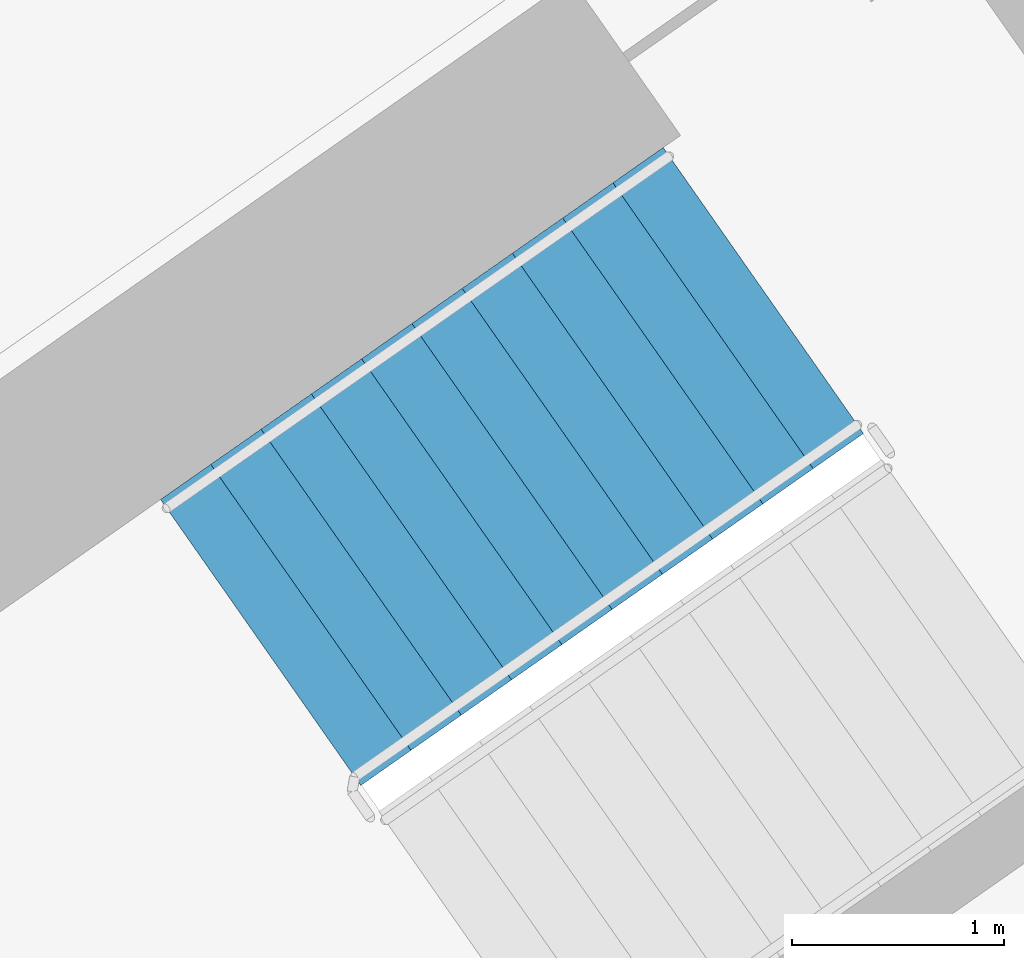
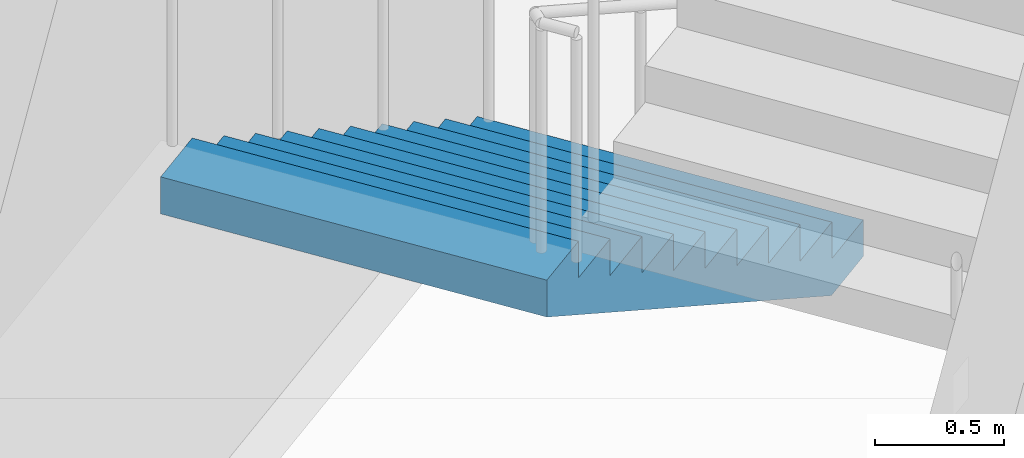
# One storey, part 16 of 30: 1 stair flight, 1 element without a shape of its own.
"""IFC4 building model written with IfcOpenShell, lengths in metres."""

import ifcopenshell
import ifcopenshell.guid

model = None  # the IFC model being written
_history = None  # IfcOwnerHistory: only IFC2X3 demands one
_inside = {}  # id of a spatial element -> (the spatial element, [elements in it])
_under = {}  # id of a project, library or spatial element -> (it, [spatial elements below it])
_declared = {}  # id of a project -> (the project, [libraries it declares])
_typed = {}  # id of a type object -> (the type object, [elements of that type])
_made_of = {}  # id of a material, layer set ... -> (it, [elements and type objects made of it])


def new_model(schema):
    """Start an empty IFC model of exactly this schema.

    Asked for "IFC4X3", IfcOpenShell would pick the latest addendum, in which some entities
    have other attributes; the version numbers below select the first issue.
    IFC2X3 requires an IfcOwnerHistory on every rooted entity: one is made here for all.
    """
    global model, _history
    if schema == "IFC4X3":
        model = ifcopenshell.file(schema_version=(4, 3, 0, 0))
    else:
        model = ifcopenshell.file(schema=schema)
    _inside.clear()
    _under.clear()
    _declared.clear()
    _typed.clear()
    _made_of.clear()
    _history = None
    if model.schema == "IFC2X3":
        org = make("IfcOrganization", Name="unknown")
        user = make(
            "IfcPersonAndOrganization",
            ThePerson=make("IfcPerson", FamilyName="unknown"),
            TheOrganization=org,
        )
        app = make(
            "IfcApplication",
            ApplicationDeveloper=org,
            Version="unknown",
            ApplicationFullName="unknown",
            ApplicationIdentifier="unknown",
        )
        _history = make(
            "IfcOwnerHistory",
            OwningUser=user,
            OwningApplication=app,
            ChangeAction="ADDED",
            CreationDate=0,
        )
    return model


def make(cls, **values):
    """One entity of the class cls with the attributes given. An attribute that is None is left unset."""
    return model.create_entity(
        cls, **{name: value for name, value in values.items() if value is not None}
    )


def rooted(cls, **values):
    """An entity with a GlobalId (a new one), such as an element, a storey or a relation."""
    return make(cls, GlobalId=ifcopenshell.guid.new(), OwnerHistory=_history, **values)


def si_unit(unit_type, name, prefix=None):
    """IfcSIUnit, for example si_unit("LENGTHUNIT", "METRE", prefix="MILLI")."""
    return make("IfcSIUnit", UnitType=unit_type, Prefix=prefix, Name=name)


def assignment(units):
    """IfcUnitAssignment: the units of a project."""
    return None if units is None else make("IfcUnitAssignment", Units=units)


def point(xyz):
    """IfcCartesianPoint."""
    return None if xyz is None else make("IfcCartesianPoint", Coordinates=xyz)


def direction(xyz):
    """IfcDirection."""
    return None if xyz is None else make("IfcDirection", DirectionRatios=xyz)


def frame(location, z_axis=None, x_axis=None):
    """IfcAxis2Placement3D, a coordinate frame: its origin and axes. An axis left out is left unset."""
    return make(
        "IfcAxis2Placement3D",
        Location=point(location),
        Axis=direction(z_axis),
        RefDirection=direction(x_axis),
    )


def origin():
    """The frame at (0, 0, 0) with its axes left unset."""
    return frame((0.0, 0.0, 0.0))


def place(relative_to, where):
    """IfcLocalPlacement: puts the frame where relative to a parent placement (None: the world)."""
    return make(
        "IfcLocalPlacement", PlacementRelTo=relative_to, RelativePlacement=where
    )


def context(
    kind, dimensions, precision=None, world=None, true_north=None, identifier=None
):
    """IfcGeometricRepresentationContext, for example the 3D "Model" context."""
    return make(
        "IfcGeometricRepresentationContext",
        ContextIdentifier=identifier,
        ContextType=kind,
        CoordinateSpaceDimension=dimensions,
        Precision=precision,
        WorldCoordinateSystem=world,
        TrueNorth=true_north,
    )


def subcontext(parent, identifier, kind, view, scale=None):
    """IfcGeometricRepresentationSubContext, for example "Body" below "Model"."""
    return make(
        "IfcGeometricRepresentationSubContext",
        ContextIdentifier=identifier,
        ContextType=kind,
        ParentContext=parent,
        TargetScale=scale,
        TargetView=view,
    )


def project(units=None, contexts=None):
    """IfcProject with its units and contexts."""
    return rooted(
        "IfcProject",
        Name="project",
        RepresentationContexts=contexts,
        UnitsInContext=assignment(units),
    )


def spatial(cls, under=None, at=None, **own):
    """A site, building, storey or space (cls), placed at a placement, below another one or the project."""
    s = rooted(cls, ObjectPlacement=at, **own)
    if under is not None:
        _under.setdefault(under.id(), (under, []))[1].append(s)
    return s


def faces_of(points, faces, orient=None, outer=None):
    """IfcFace entities. A face is a list of loops; a loop is a list of indices into points, from 0.

    orient and outer hold one flag for each loop. By default every Orientation is true, the
    first loop of a face is its IfcFaceOuterBound and the others are IfcFaceBound.
    """
    made = []
    for i, loops in enumerate(faces):
        bounds = []
        for j, loop in enumerate(loops):
            is_outer = j == 0 if outer is None else outer[i][j]
            bounds.append(
                make(
                    "IfcFaceOuterBound" if is_outer else "IfcFaceBound",
                    Bound=make("IfcPolyLoop", Polygon=[points[k] for k in loop]),
                    Orientation=True if orient is None else orient[i][j],
                )
            )
        made.append(make("IfcFace", Bounds=bounds))
    return made


def faceted_brep(points, faces, orient=None, outer=None, voids=None):
    """IfcFacetedBrep: a solid bounded by flat faces; with voids (closed shells), ...WithVoids."""
    shared = [point(p) for p in points]
    hull = make("IfcClosedShell", CfsFaces=faces_of(shared, faces, orient, outer))
    if voids is None:
        return make("IfcFacetedBrep", Outer=hull)
    return make(
        "IfcFacetedBrepWithVoids",
        Outer=hull,
        Voids=[
            make(cls, CfsFaces=faces_of(shared, fs, o, b)) for cls, fs, o, b in voids
        ],
    )


def shape(context_of_items, identifier, shape_type, items):
    """IfcShapeRepresentation: the items that make up one representation, for example the "Body"."""
    return make(
        "IfcShapeRepresentation",
        ContextOfItems=context_of_items,
        RepresentationIdentifier=identifier,
        RepresentationType=shape_type,
        Items=items,
    )


def material(Name=None, Category=None):
    """IfcMaterial."""
    return make("IfcMaterial", Name=Name, Category=Category)


def made_of(thing, what):
    """Note that an element or type object is made of a material, layer set ...; save() writes the relation."""
    if what is not None:
        _made_of.setdefault(what.id(), (what, []))[1].append(thing)
    return thing


def type_object(cls, material=None, **own):
    """A type object (cls), such as IfcWallType, which elements share."""
    return made_of(rooted(cls, **own), material)


def element(
    cls,
    number,
    at=None,
    inside=None,
    cuts=None,
    type_object=None,
    material=None,
    context=None,
    identifier="Body",
    shape_type=None,
    held_by="IfcProductDefinitionShape",
    body=None,
    shapes=None,
    **own,
):
    """One element of the class cls, such as IfcWall. Its Tag is "e" and its number.

    at: its placement. inside: the storey or other place that contains it. cuts: it is an
    opening in that element (IfcRelVoidsElement). A single representation is given by context,
    identifier, shape_type and body (its items); several are given by shapes. held_by: the class
    of the entity that holds the representations. save() writes the other relations.
    """
    e = rooted(cls, Tag="e%d" % number, ObjectPlacement=at, **own)
    if body is not None:
        shapes = [shape(context, identifier, shape_type, body)]
    if shapes is not None:
        e.Representation = make(held_by, Representations=shapes)
    if inside is not None:
        _inside.setdefault(inside.id(), (inside, []))[1].append(e)
    if cuts is not None:
        rooted(
            "IfcRelVoidsElement", RelatingBuildingElement=cuts, RelatedOpeningElement=e
        )
    if type_object is not None:
        _typed.setdefault(type_object.id(), (type_object, []))[1].append(e)
    return made_of(e, material)


def aggregate(whole, parts):
    """IfcRelAggregates: a whole, such as a stair, and the parts it consists of."""
    return rooted("IfcRelAggregates", RelatingObject=whole, RelatedObjects=parts)


def save(model, path):
    """Write the relations noted so far, then the file.

    IfcRelAggregates (storeys below a building ...), IfcRelContainedInSpatialStructure (elements
    in a storey), IfcRelDefinesByType, IfcRelAssociatesMaterial and IfcRelDeclares: one each for
    every whole, place, type object, material and project.
    """
    for whole, parts in _under.values():
        aggregate(whole, parts)
    for where, things in _inside.values():
        rooted(
            "IfcRelContainedInSpatialStructure",
            RelatedElements=things,
            RelatingStructure=where,
        )
    for kind, things in _typed.values():
        rooted("IfcRelDefinesByType", RelatedObjects=things, RelatingType=kind)
    for what, things in _made_of.values():
        rooted("IfcRelAssociatesMaterial", RelatedObjects=things, RelatingMaterial=what)
    for by, libraries in _declared.values():
        rooted("IfcRelDeclares", RelatingContext=by, RelatedDefinitions=libraries)
    model.write(path)


model = new_model("IFC4")

# Units and contexts
model_context = context("Model", 3, precision=1e-05, world=origin(), true_north=direction((0.0, 1.0)))
body_context = subcontext(model_context, "Body", "Model", "MODEL_VIEW")
ifc_project = project(units=[si_unit("LENGTHUNIT", "METRE"), si_unit("AREAUNIT", "SQUARE_METRE"), si_unit("VOLUMEUNIT", "CUBIC_METRE"), si_unit("PLANEANGLEUNIT", "RADIAN"), si_unit("MASSUNIT", "GRAM", prefix="KILO")], contexts=[model_context])

# Site, building, storey
site_placement = place(None, origin())
site = spatial("IfcSite", under=ifc_project, at=site_placement, CompositionType="ELEMENT")
building_placement = place(site_placement, origin())
building = spatial("IfcBuilding", under=site, at=building_placement, Name="Qamariyya Broadcast Tower", CompositionType="ELEMENT")
storey_placement = place(building_placement, frame((0.0, 0.0, 67.10009765625)))
storey = spatial("IfcBuildingStorey", under=building, at=storey_placement, Name="L13", CompositionType="ELEMENT", Elevation=67.10009765625)

# Stair, stair flight
ifc_material = material(Name="Concrete C50/60", Category="concrete")
stair_type = type_object("IfcStairType", Name="Exit stair 22 risers of 173 mm", PredefinedType="HALF_TURN_STAIR", material=ifc_material)
stair_placement = place(storey_placement, origin())
stair = element("IfcStair", 1, at=stair_placement, inside=storey, type_object=stair_type, Name="L13 Stair E2", PredefinedType="HALF_TURN_STAIR")
stair_flight_type = type_object("IfcStairFlightType", Name="Exit stair flight 11 risers of 173 mm", PredefinedType="STRAIGHT", material=ifc_material)
stair_flight_placement = place(storey_placement, frame((40.558837890625, -47.685302734375, 0.0), z_axis=(0.0, 0.0, 1.0), x_axis=(-0.819152044289, -0.573576436351, 0.0)))
stair_flight = element("IfcStairFlight", 2, at=stair_flight_placement, type_object=stair_flight_type, Name="ST-E2 flight 1", NumberOfRisers=11, NumberOfTreads=10, PredefinedType="STRAIGHT", RiserHeight=0.172727273, TreadLength=0.29, context=body_context, shape_type="Brep", body=[
    faceted_brep([(0.0, 0.824951171875, 0.0), (0.0, 0.824951171875, 0.172607421875), (0.2900390625, 0.824951171875, 0.172607421875), (0.2900390625, 0.824951171875, 0.345458984375), (0.580078125, 0.824951171875, 0.345458984375), (0.580078125, 0.824951171875, 0.51806640625), (0.8701171875, 0.824951171875, 0.51806640625), (0.8701171875, 0.824951171875, 0.69091796875), (1.159912109375, 0.824951171875, 0.69091796875), (1.159912109375, 0.824951171875, 0.863525390625), (1.449951171875, 0.824951171875, 0.863525390625), (1.449951171875, 0.824951171875, 1.036376953125), (1.739990234375, 0.824951171875, 1.036376953125), (1.739990234375, 0.824951171875, 1.208984375), (2.030029296875, 0.824951171875, 1.208984375), (2.030029296875, 0.824951171875, 1.3818359375), (2.320068359375, 0.824951171875, 1.3818359375), (2.320068359375, 0.824951171875, 1.554443359375), (2.610107421875, 0.824951171875, 1.554443359375), (2.610107421875, 0.824951171875, 1.727294921875), (2.89990234375, 0.824951171875, 1.727294921875), (2.89990234375, 0.824951171875, 1.552734375), (0.29296875, 0.824951171875, 0.0), (0.29296875, -0.824951171875, 0.0), (2.89990234375, -0.824951171875, 1.552734375), (2.89990234375, -0.824951171875, 1.727294921875), (2.610107421875, -0.824951171875, 1.727294921875), (2.610107421875, -0.824951171875, 1.554443359375), (2.320068359375, -0.824951171875, 1.554443359375), (2.320068359375, -0.824951171875, 1.3818359375), (2.030029296875, -0.824951171875, 1.3818359375), (2.030029296875, -0.824951171875, 1.208984375), (1.739990234375, -0.824951171875, 1.208984375), (1.739990234375, -0.824951171875, 1.036376953125), (1.449951171875, -0.824951171875, 1.036376953125), (1.449951171875, -0.824951171875, 0.863525390625), (1.159912109375, -0.824951171875, 0.863525390625), (1.159912109375, -0.824951171875, 0.69091796875), (0.8701171875, -0.824951171875, 0.69091796875), (0.8701171875, -0.824951171875, 0.51806640625), (0.580078125, -0.824951171875, 0.51806640625), (0.580078125, -0.824951171875, 0.345458984375), (0.2900390625, -0.824951171875, 0.345458984375), (0.2900390625, -0.824951171875, 0.172607421875), (0.0, -0.824951171875, 0.172607421875), (0.0, -0.824951171875, 0.0), (0.0, 0.10009765625, 0.0), (0.0, 0.086669921875, 0.0), (0.0, 0.0732421875, 0.0), (0.0, 0.06005859375, 0.0), (0.0, 0.046630859375, 0.0), (0.0, 0.033447265625, 0.0), (0.0, 0.02001953125, 0.0), (0.0, 0.006591796875, 0.0), (0.0, -0.006591796875, 0.0), (0.0, -0.02001953125, 0.0), (0.0, -0.033447265625, 0.0), (0.0, -0.046630859375, 0.0), (0.0, -0.06005859375, 0.0), (0.0, -0.0732421875, 0.0), (0.0, -0.086669921875, 0.0), (0.0, -0.10009765625, 0.0), (0.0, -0.10009765625, 0.172607421875), (0.0, -0.086669921875, 0.172607421875), (0.0, -0.0732421875, 0.172607421875), (0.0, -0.06005859375, 0.172607421875), (0.0, -0.046630859375, 0.172607421875), (0.0, -0.033447265625, 0.172607421875), (0.0, -0.02001953125, 0.172607421875), (0.0, -0.006591796875, 0.172607421875), (0.0, 0.006591796875, 0.172607421875), (0.0, 0.02001953125, 0.172607421875), (0.0, 0.033447265625, 0.172607421875), (0.0, 0.046630859375, 0.172607421875), (0.0, 0.06005859375, 0.172607421875), (0.0, 0.0732421875, 0.172607421875), (0.0, 0.086669921875, 0.172607421875), (0.0, 0.10009765625, 0.172607421875), (0.2900390625, -0.10009765625, 0.172607421875), (0.2900390625, -0.086669921875, 0.172607421875), (0.2900390625, -0.0732421875, 0.172607421875), (0.2900390625, -0.06005859375, 0.172607421875), (0.2900390625, -0.046630859375, 0.172607421875), (0.2900390625, -0.033447265625, 0.172607421875), (0.2900390625, -0.02001953125, 0.172607421875), (0.2900390625, -0.006591796875, 0.172607421875), (0.2900390625, 0.006591796875, 0.172607421875), (0.2900390625, 0.02001953125, 0.172607421875), (0.2900390625, 0.033447265625, 0.172607421875), (0.2900390625, 0.046630859375, 0.172607421875), (0.2900390625, 0.06005859375, 0.172607421875), (0.2900390625, 0.0732421875, 0.172607421875), (0.2900390625, 0.086669921875, 0.172607421875), (0.2900390625, 0.10009765625, 0.172607421875), (0.2900390625, -0.10009765625, 0.345458984375), (0.2900390625, -0.086669921875, 0.345458984375), (0.2900390625, -0.0732421875, 0.345458984375), (0.2900390625, -0.06005859375, 0.345458984375), (0.2900390625, -0.046630859375, 0.345458984375), (0.2900390625, -0.033447265625, 0.345458984375), (0.2900390625, -0.02001953125, 0.345458984375), (0.2900390625, -0.006591796875, 0.345458984375), (0.2900390625, 0.006591796875, 0.345458984375), (0.2900390625, 0.02001953125, 0.345458984375), (0.2900390625, 0.033447265625, 0.345458984375), (0.2900390625, 0.046630859375, 0.345458984375), (0.2900390625, 0.06005859375, 0.345458984375), (0.2900390625, 0.0732421875, 0.345458984375), (0.2900390625, 0.086669921875, 0.345458984375), (0.2900390625, 0.10009765625, 0.345458984375), (0.580078125, -0.10009765625, 0.345458984375), (0.580078125, -0.086669921875, 0.345458984375), (0.580078125, -0.0732421875, 0.345458984375), (0.580078125, -0.06005859375, 0.345458984375), (0.580078125, -0.046630859375, 0.345458984375), (0.580078125, -0.033447265625, 0.345458984375), (0.580078125, -0.02001953125, 0.345458984375), (0.580078125, -0.006591796875, 0.345458984375), (0.580078125, 0.006591796875, 0.345458984375), (0.580078125, 0.02001953125, 0.345458984375), (0.580078125, 0.033447265625, 0.345458984375), (0.580078125, 0.046630859375, 0.345458984375), (0.580078125, 0.06005859375, 0.345458984375), (0.580078125, 0.0732421875, 0.345458984375), (0.580078125, 0.086669921875, 0.345458984375), (0.580078125, 0.10009765625, 0.345458984375), (0.580078125, -0.10009765625, 0.51806640625), (0.580078125, -0.086669921875, 0.51806640625), (0.580078125, -0.0732421875, 0.51806640625), (0.580078125, -0.06005859375, 0.51806640625), (0.580078125, -0.046630859375, 0.51806640625), (0.580078125, -0.033447265625, 0.51806640625), (0.580078125, -0.02001953125, 0.51806640625), (0.580078125, -0.006591796875, 0.51806640625), (0.580078125, 0.006591796875, 0.51806640625), (0.580078125, 0.02001953125, 0.51806640625), (0.580078125, 0.033447265625, 0.51806640625), (0.580078125, 0.046630859375, 0.51806640625), (0.580078125, 0.06005859375, 0.51806640625), (0.580078125, 0.0732421875, 0.51806640625), (0.580078125, 0.086669921875, 0.51806640625), (0.580078125, 0.10009765625, 0.51806640625), (0.8701171875, -0.10009765625, 0.51806640625), (0.8701171875, -0.086669921875, 0.51806640625), (0.8701171875, -0.0732421875, 0.51806640625), (0.8701171875, -0.06005859375, 0.51806640625), (0.8701171875, -0.046630859375, 0.51806640625), (0.8701171875, -0.033447265625, 0.51806640625), (0.8701171875, -0.02001953125, 0.51806640625), (0.8701171875, -0.006591796875, 0.51806640625), (0.8701171875, 0.006591796875, 0.51806640625), (0.8701171875, 0.02001953125, 0.51806640625), (0.8701171875, 0.033447265625, 0.51806640625), (0.8701171875, 0.046630859375, 0.51806640625), (0.8701171875, 0.06005859375, 0.51806640625), (0.8701171875, 0.0732421875, 0.51806640625), (0.8701171875, 0.086669921875, 0.51806640625), (0.8701171875, 0.10009765625, 0.51806640625), (0.8701171875, -0.10009765625, 0.69091796875), (0.8701171875, -0.086669921875, 0.69091796875), (0.8701171875, -0.0732421875, 0.69091796875), (0.8701171875, -0.06005859375, 0.69091796875), (0.8701171875, -0.046630859375, 0.69091796875), (0.8701171875, -0.033447265625, 0.69091796875), (0.8701171875, -0.02001953125, 0.69091796875), (0.8701171875, -0.006591796875, 0.69091796875), (0.8701171875, 0.006591796875, 0.69091796875), (0.8701171875, 0.02001953125, 0.69091796875), (0.8701171875, 0.033447265625, 0.69091796875), (0.8701171875, 0.046630859375, 0.69091796875), (0.8701171875, 0.06005859375, 0.69091796875), (0.8701171875, 0.0732421875, 0.69091796875), (0.8701171875, 0.086669921875, 0.69091796875), (0.8701171875, 0.10009765625, 0.69091796875), (1.159912109375, -0.10009765625, 0.69091796875), (1.159912109375, -0.086669921875, 0.69091796875), (1.159912109375, -0.0732421875, 0.69091796875), (1.159912109375, -0.06005859375, 0.69091796875), (1.159912109375, -0.046630859375, 0.69091796875), (1.159912109375, -0.033447265625, 0.69091796875), (1.159912109375, -0.02001953125, 0.69091796875), (1.159912109375, -0.006591796875, 0.69091796875), (1.159912109375, 0.006591796875, 0.69091796875), (1.159912109375, 0.02001953125, 0.69091796875), (1.159912109375, 0.033447265625, 0.69091796875), (1.159912109375, 0.046630859375, 0.69091796875), (1.159912109375, 0.06005859375, 0.69091796875), (1.159912109375, 0.0732421875, 0.69091796875), (1.159912109375, 0.086669921875, 0.69091796875), (1.159912109375, 0.10009765625, 0.69091796875), (1.159912109375, -0.10009765625, 0.863525390625), (1.159912109375, -0.086669921875, 0.863525390625), (1.159912109375, -0.0732421875, 0.863525390625), (1.159912109375, -0.06005859375, 0.863525390625), (1.159912109375, -0.046630859375, 0.863525390625), (1.159912109375, -0.033447265625, 0.863525390625), (1.159912109375, -0.02001953125, 0.863525390625), (1.159912109375, -0.006591796875, 0.863525390625), (1.159912109375, 0.006591796875, 0.863525390625), (1.159912109375, 0.02001953125, 0.863525390625), (1.159912109375, 0.033447265625, 0.863525390625), (1.159912109375, 0.046630859375, 0.863525390625), (1.159912109375, 0.06005859375, 0.863525390625), (1.159912109375, 0.0732421875, 0.863525390625), (1.159912109375, 0.086669921875, 0.863525390625), (1.159912109375, 0.10009765625, 0.863525390625), (1.449951171875, -0.10009765625, 0.863525390625), (1.449951171875, -0.086669921875, 0.863525390625), (1.449951171875, -0.0732421875, 0.863525390625), (1.449951171875, -0.06005859375, 0.863525390625), (1.449951171875, -0.046630859375, 0.863525390625), (1.449951171875, -0.033447265625, 0.863525390625), (1.449951171875, -0.02001953125, 0.863525390625), (1.449951171875, -0.006591796875, 0.863525390625), (1.449951171875, 0.006591796875, 0.863525390625), (1.449951171875, 0.02001953125, 0.863525390625), (1.449951171875, 0.033447265625, 0.863525390625), (1.449951171875, 0.046630859375, 0.863525390625), (1.449951171875, 0.06005859375, 0.863525390625), (1.449951171875, 0.0732421875, 0.863525390625), (1.449951171875, 0.086669921875, 0.863525390625), (1.449951171875, 0.10009765625, 0.863525390625), (1.449951171875, -0.10009765625, 1.036376953125), (1.449951171875, -0.086669921875, 1.036376953125), (1.449951171875, -0.0732421875, 1.036376953125), (1.449951171875, -0.06005859375, 1.036376953125), (1.449951171875, -0.046630859375, 1.036376953125), (1.449951171875, -0.033447265625, 1.036376953125), (1.449951171875, -0.02001953125, 1.036376953125), (1.449951171875, -0.006591796875, 1.036376953125), (1.449951171875, 0.006591796875, 1.036376953125), (1.449951171875, 0.02001953125, 1.036376953125), (1.449951171875, 0.033447265625, 1.036376953125), (1.449951171875, 0.046630859375, 1.036376953125), (1.449951171875, 0.06005859375, 1.036376953125), (1.449951171875, 0.0732421875, 1.036376953125), (1.449951171875, 0.086669921875, 1.036376953125), (1.449951171875, 0.10009765625, 1.036376953125), (1.739990234375, -0.10009765625, 1.036376953125), (1.739990234375, -0.086669921875, 1.036376953125), (1.739990234375, -0.0732421875, 1.036376953125), (1.739990234375, -0.06005859375, 1.036376953125), (1.739990234375, -0.046630859375, 1.036376953125), (1.739990234375, -0.033447265625, 1.036376953125), (1.739990234375, -0.02001953125, 1.036376953125), (1.739990234375, -0.006591796875, 1.036376953125), (1.739990234375, 0.006591796875, 1.036376953125), (1.739990234375, 0.02001953125, 1.036376953125), (1.739990234375, 0.033447265625, 1.036376953125), (1.739990234375, 0.046630859375, 1.036376953125), (1.739990234375, 0.06005859375, 1.036376953125), (1.739990234375, 0.0732421875, 1.036376953125), (1.739990234375, 0.086669921875, 1.036376953125), (1.739990234375, 0.10009765625, 1.036376953125), (1.739990234375, -0.10009765625, 1.208984375), (1.739990234375, -0.086669921875, 1.208984375), (1.739990234375, -0.0732421875, 1.208984375), (1.739990234375, -0.06005859375, 1.208984375), (1.739990234375, -0.046630859375, 1.208984375), (1.739990234375, -0.033447265625, 1.208984375), (1.739990234375, -0.02001953125, 1.208984375), (1.739990234375, -0.006591796875, 1.208984375), (1.739990234375, 0.006591796875, 1.208984375), (1.739990234375, 0.02001953125, 1.208984375), (1.739990234375, 0.033447265625, 1.208984375), (1.739990234375, 0.046630859375, 1.208984375), (1.739990234375, 0.06005859375, 1.208984375), (1.739990234375, 0.0732421875, 1.208984375), (1.739990234375, 0.086669921875, 1.208984375), (1.739990234375, 0.10009765625, 1.208984375), (2.030029296875, -0.10009765625, 1.208984375), (2.030029296875, -0.086669921875, 1.208984375), (2.030029296875, -0.0732421875, 1.208984375), (2.030029296875, -0.06005859375, 1.208984375), (2.030029296875, -0.046630859375, 1.208984375), (2.030029296875, -0.033447265625, 1.208984375), (2.030029296875, -0.02001953125, 1.208984375), (2.030029296875, -0.006591796875, 1.208984375), (2.030029296875, 0.006591796875, 1.208984375), (2.030029296875, 0.02001953125, 1.208984375), (2.030029296875, 0.033447265625, 1.208984375), (2.030029296875, 0.046630859375, 1.208984375), (2.030029296875, 0.06005859375, 1.208984375), (2.030029296875, 0.0732421875, 1.208984375), (2.030029296875, 0.086669921875, 1.208984375), (2.030029296875, 0.10009765625, 1.208984375), (2.030029296875, -0.10009765625, 1.3818359375), (2.030029296875, -0.086669921875, 1.3818359375), (2.030029296875, -0.0732421875, 1.3818359375), (2.030029296875, -0.06005859375, 1.3818359375), (2.030029296875, -0.046630859375, 1.3818359375), (2.030029296875, -0.033447265625, 1.3818359375), (2.030029296875, -0.02001953125, 1.3818359375), (2.030029296875, -0.006591796875, 1.3818359375), (2.030029296875, 0.006591796875, 1.3818359375), (2.030029296875, 0.02001953125, 1.3818359375), (2.030029296875, 0.033447265625, 1.3818359375), (2.030029296875, 0.046630859375, 1.3818359375), (2.030029296875, 0.06005859375, 1.3818359375), (2.030029296875, 0.0732421875, 1.3818359375), (2.030029296875, 0.086669921875, 1.3818359375), (2.030029296875, 0.10009765625, 1.3818359375), (2.320068359375, -0.10009765625, 1.3818359375), (2.320068359375, -0.086669921875, 1.3818359375), (2.320068359375, -0.0732421875, 1.3818359375), (2.320068359375, -0.06005859375, 1.3818359375), (2.320068359375, -0.046630859375, 1.3818359375), (2.320068359375, -0.033447265625, 1.3818359375), (2.320068359375, -0.02001953125, 1.3818359375), (2.320068359375, -0.006591796875, 1.3818359375), (2.320068359375, 0.006591796875, 1.3818359375), (2.320068359375, 0.02001953125, 1.3818359375), (2.320068359375, 0.033447265625, 1.3818359375), (2.320068359375, 0.046630859375, 1.3818359375), (2.320068359375, 0.06005859375, 1.3818359375), (2.320068359375, 0.0732421875, 1.3818359375), (2.320068359375, 0.086669921875, 1.3818359375), (2.320068359375, 0.10009765625, 1.3818359375), (2.320068359375, -0.10009765625, 1.554443359375), (2.320068359375, -0.086669921875, 1.554443359375), (2.320068359375, -0.0732421875, 1.554443359375), (2.320068359375, -0.06005859375, 1.554443359375), (2.320068359375, -0.046630859375, 1.554443359375), (2.320068359375, -0.033447265625, 1.554443359375), (2.320068359375, -0.02001953125, 1.554443359375), (2.320068359375, -0.006591796875, 1.554443359375), (2.320068359375, 0.006591796875, 1.554443359375), (2.320068359375, 0.02001953125, 1.554443359375), (2.320068359375, 0.033447265625, 1.554443359375), (2.320068359375, 0.046630859375, 1.554443359375), (2.320068359375, 0.06005859375, 1.554443359375), (2.320068359375, 0.0732421875, 1.554443359375), (2.320068359375, 0.086669921875, 1.554443359375), (2.320068359375, 0.10009765625, 1.554443359375), (2.610107421875, -0.10009765625, 1.554443359375), (2.610107421875, -0.086669921875, 1.554443359375), (2.610107421875, -0.0732421875, 1.554443359375), (2.610107421875, -0.06005859375, 1.554443359375), (2.610107421875, -0.046630859375, 1.554443359375), (2.610107421875, -0.033447265625, 1.554443359375), (2.610107421875, -0.02001953125, 1.554443359375), (2.610107421875, -0.006591796875, 1.554443359375), (2.610107421875, 0.006591796875, 1.554443359375), (2.610107421875, 0.02001953125, 1.554443359375), (2.610107421875, 0.033447265625, 1.554443359375), (2.610107421875, 0.046630859375, 1.554443359375), (2.610107421875, 0.06005859375, 1.554443359375), (2.610107421875, 0.0732421875, 1.554443359375), (2.610107421875, 0.086669921875, 1.554443359375), (2.610107421875, 0.10009765625, 1.554443359375), (2.610107421875, -0.10009765625, 1.727294921875), (2.610107421875, -0.086669921875, 1.727294921875), (2.610107421875, -0.0732421875, 1.727294921875), (2.610107421875, -0.06005859375, 1.727294921875), (2.610107421875, -0.046630859375, 1.727294921875), (2.610107421875, -0.033447265625, 1.727294921875), (2.610107421875, -0.02001953125, 1.727294921875), (2.610107421875, -0.006591796875, 1.727294921875), (2.610107421875, 0.006591796875, 1.727294921875), (2.610107421875, 0.02001953125, 1.727294921875), (2.610107421875, 0.033447265625, 1.727294921875), (2.610107421875, 0.046630859375, 1.727294921875), (2.610107421875, 0.06005859375, 1.727294921875), (2.610107421875, 0.0732421875, 1.727294921875), (2.610107421875, 0.086669921875, 1.727294921875), (2.610107421875, 0.10009765625, 1.727294921875), (2.89990234375, -0.10009765625, 1.727294921875), (2.89990234375, -0.086669921875, 1.727294921875), (2.89990234375, -0.0732421875, 1.727294921875), (2.89990234375, -0.06005859375, 1.727294921875), (2.89990234375, -0.046630859375, 1.727294921875), (2.89990234375, -0.033447265625, 1.727294921875), (2.89990234375, -0.02001953125, 1.727294921875), (2.89990234375, -0.006591796875, 1.727294921875), (2.89990234375, 0.006591796875, 1.727294921875), (2.89990234375, 0.02001953125, 1.727294921875), (2.89990234375, 0.033447265625, 1.727294921875), (2.89990234375, 0.046630859375, 1.727294921875), (2.89990234375, 0.06005859375, 1.727294921875), (2.89990234375, 0.0732421875, 1.727294921875), (2.89990234375, 0.086669921875, 1.727294921875), (2.89990234375, 0.10009765625, 1.727294921875), (2.89990234375, -0.10009765625, 1.552734375), (2.89990234375, -0.086669921875, 1.552734375), (2.89990234375, -0.0732421875, 1.552734375), (2.89990234375, -0.06005859375, 1.552734375), (2.89990234375, -0.046630859375, 1.552734375), (2.89990234375, -0.033447265625, 1.552734375), (2.89990234375, -0.02001953125, 1.552734375), (2.89990234375, -0.006591796875, 1.552734375), (2.89990234375, 0.006591796875, 1.552734375), (2.89990234375, 0.02001953125, 1.552734375), (2.89990234375, 0.033447265625, 1.552734375), (2.89990234375, 0.046630859375, 1.552734375), (2.89990234375, 0.06005859375, 1.552734375), (2.89990234375, 0.0732421875, 1.552734375), (2.89990234375, 0.086669921875, 1.552734375), (2.89990234375, 0.10009765625, 1.552734375), (0.29296875, -0.10009765625, 0.0), (0.29296875, -0.086669921875, 0.0), (0.29296875, -0.0732421875, 0.0), (0.29296875, -0.06005859375, 0.0), (0.29296875, -0.046630859375, 0.0), (0.29296875, -0.033447265625, 0.0), (0.29296875, -0.02001953125, 0.0), (0.29296875, -0.006591796875, 0.0), (0.29296875, 0.006591796875, 0.0), (0.29296875, 0.02001953125, 0.0), (0.29296875, 0.033447265625, 0.0), (0.29296875, 0.046630859375, 0.0), (0.29296875, 0.06005859375, 0.0), (0.29296875, 0.0732421875, 0.0), (0.29296875, 0.086669921875, 0.0), (0.29296875, 0.10009765625, 0.0)], [[[0, 1, 2, 3, 4, 5, 6, 7, 8, 9, 10, 11, 12, 13, 14, 15, 16, 17, 18, 19, 20, 21, 22]], [[23, 24, 25, 26, 27, 28, 29, 30, 31, 32, 33, 34, 35, 36, 37, 38, 39, 40, 41, 42, 43, 44, 45]], [[0, 46, 47, 48, 49, 50, 51, 52, 53, 54, 55, 56, 57, 58, 59, 60, 61, 45, 44, 62, 63, 64, 65, 66, 67, 68, 69, 70, 71, 72, 73, 74, 75, 76, 77, 1]], [[1, 77, 76, 75, 74, 73, 72, 71, 70, 69, 68, 67, 66, 65, 64, 63, 62, 44, 43, 78, 79, 80, 81, 82, 83, 84, 85, 86, 87, 88, 89, 90, 91, 92, 93, 2]], [[2, 93, 92, 91, 90, 89, 88, 87, 86, 85, 84, 83, 82, 81, 80, 79, 78, 43, 42, 94, 95, 96, 97, 98, 99, 100, 101, 102, 103, 104, 105, 106, 107, 108, 109, 3]], [[3, 109, 108, 107, 106, 105, 104, 103, 102, 101, 100, 99, 98, 97, 96, 95, 94, 42, 41, 110, 111, 112, 113, 114, 115, 116, 117, 118, 119, 120, 121, 122, 123, 124, 125, 4]], [[4, 125, 124, 123, 122, 121, 120, 119, 118, 117, 116, 115, 114, 113, 112, 111, 110, 41, 40, 126, 127, 128, 129, 130, 131, 132, 133, 134, 135, 136, 137, 138, 139, 140, 141, 5]], [[5, 141, 140, 139, 138, 137, 136, 135, 134, 133, 132, 131, 130, 129, 128, 127, 126, 40, 39, 142, 143, 144, 145, 146, 147, 148, 149, 150, 151, 152, 153, 154, 155, 156, 157, 6]], [[6, 157, 156, 155, 154, 153, 152, 151, 150, 149, 148, 147, 146, 145, 144, 143, 142, 39, 38, 158, 159, 160, 161, 162, 163, 164, 165, 166, 167, 168, 169, 170, 171, 172, 173, 7]], [[7, 173, 172, 171, 170, 169, 168, 167, 166, 165, 164, 163, 162, 161, 160, 159, 158, 38, 37, 174, 175, 176, 177, 178, 179, 180, 181, 182, 183, 184, 185, 186, 187, 188, 189, 8]], [[8, 189, 188, 187, 186, 185, 184, 183, 182, 181, 180, 179, 178, 177, 176, 175, 174, 37, 36, 190, 191, 192, 193, 194, 195, 196, 197, 198, 199, 200, 201, 202, 203, 204, 205, 9]], [[9, 205, 204, 203, 202, 201, 200, 199, 198, 197, 196, 195, 194, 193, 192, 191, 190, 36, 35, 206, 207, 208, 209, 210, 211, 212, 213, 214, 215, 216, 217, 218, 219, 220, 221, 10]], [[10, 221, 220, 219, 218, 217, 216, 215, 214, 213, 212, 211, 210, 209, 208, 207, 206, 35, 34, 222, 223, 224, 225, 226, 227, 228, 229, 230, 231, 232, 233, 234, 235, 236, 237, 11]], [[11, 237, 236, 235, 234, 233, 232, 231, 230, 229, 228, 227, 226, 225, 224, 223, 222, 34, 33, 238, 239, 240, 241, 242, 243, 244, 245, 246, 247, 248, 249, 250, 251, 252, 253, 12]], [[12, 253, 252, 251, 250, 249, 248, 247, 246, 245, 244, 243, 242, 241, 240, 239, 238, 33, 32, 254, 255, 256, 257, 258, 259, 260, 261, 262, 263, 264, 265, 266, 267, 268, 269, 13]], [[13, 269, 268, 267, 266, 265, 264, 263, 262, 261, 260, 259, 258, 257, 256, 255, 254, 32, 31, 270, 271, 272, 273, 274, 275, 276, 277, 278, 279, 280, 281, 282, 283, 284, 285, 14]], [[14, 285, 284, 283, 282, 281, 280, 279, 278, 277, 276, 275, 274, 273, 272, 271, 270, 31, 30, 286, 287, 288, 289, 290, 291, 292, 293, 294, 295, 296, 297, 298, 299, 300, 301, 15]], [[15, 301, 300, 299, 298, 297, 296, 295, 294, 293, 292, 291, 290, 289, 288, 287, 286, 30, 29, 302, 303, 304, 305, 306, 307, 308, 309, 310, 311, 312, 313, 314, 315, 316, 317, 16]], [[16, 317, 316, 315, 314, 313, 312, 311, 310, 309, 308, 307, 306, 305, 304, 303, 302, 29, 28, 318, 319, 320, 321, 322, 323, 324, 325, 326, 327, 328, 329, 330, 331, 332, 333, 17]], [[17, 333, 332, 331, 330, 329, 328, 327, 326, 325, 324, 323, 322, 321, 320, 319, 318, 28, 27, 334, 335, 336, 337, 338, 339, 340, 341, 342, 343, 344, 345, 346, 347, 348, 349, 18]], [[18, 349, 348, 347, 346, 345, 344, 343, 342, 341, 340, 339, 338, 337, 336, 335, 334, 27, 26, 350, 351, 352, 353, 354, 355, 356, 357, 358, 359, 360, 361, 362, 363, 364, 365, 19]], [[19, 365, 364, 363, 362, 361, 360, 359, 358, 357, 356, 355, 354, 353, 352, 351, 350, 26, 25, 366, 367, 368, 369, 370, 371, 372, 373, 374, 375, 376, 377, 378, 379, 380, 381, 20]], [[20, 381, 380, 379, 378, 377, 376, 375, 374, 373, 372, 371, 370, 369, 368, 367, 366, 25, 24, 382, 383, 384, 385, 386, 387, 388, 389, 390, 391, 392, 393, 394, 395, 396, 397, 21]], [[21, 397, 396, 395, 394, 393, 392, 391, 390, 389, 388, 387, 386, 385, 384, 383, 382, 24, 23, 398, 399, 400, 401, 402, 403, 404, 405, 406, 407, 408, 409, 410, 411, 412, 413, 22]], [[22, 413, 412, 411, 410, 409, 408, 407, 406, 405, 404, 403, 402, 401, 400, 399, 398, 23, 45, 61, 60, 59, 58, 57, 56, 55, 54, 53, 52, 51, 50, 49, 48, 47, 46, 0]]]),
])
aggregate(stair, [stair_flight])

save(model, "model.ifc")
